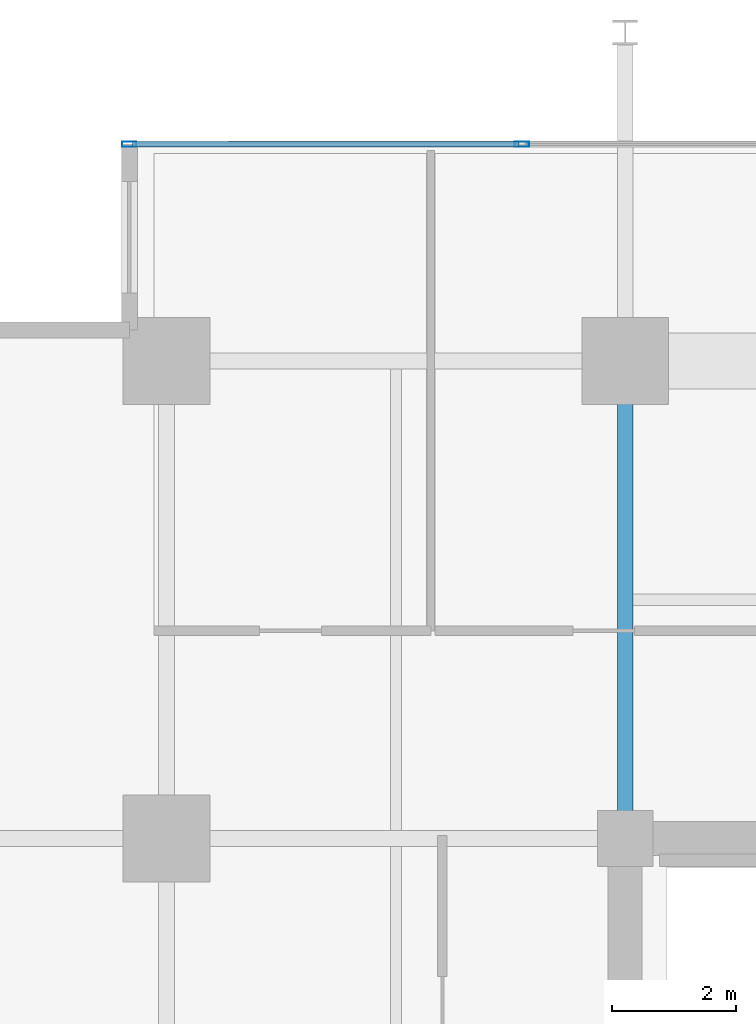
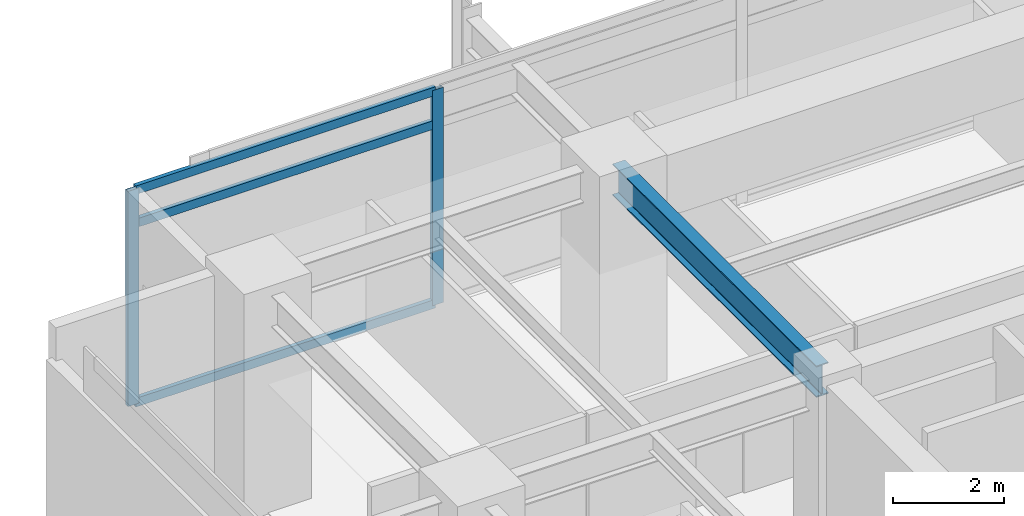
# One storey, part 7 of 19: 5 members, 1 beam, 1 element without a shape of its own.
"""IFC4 building model written with IfcOpenShell, lengths in metres."""

from ifc_helpers import new_model, si_unit, direction, frame, origin, origin_2d, place, context, subcontext, project, spatial, hollow_rectangle, i_section, extrude, material, material_profile, profile_set, type_object, element, aggregate, save


model = new_model("IFC4")

# Units and contexts
model_context = context("Model", 3, precision=1e-05, world=origin(), true_north=direction((0.0, 1.0)))
body_context = subcontext(model_context, "Body", "Model", "MODEL_VIEW")
ifc_project = project(units=[si_unit("LENGTHUNIT", "METRE"), si_unit("AREAUNIT", "SQUARE_METRE"), si_unit("VOLUMEUNIT", "CUBIC_METRE"), si_unit("PLANEANGLEUNIT", "RADIAN"), si_unit("MASSUNIT", "GRAM", prefix="KILO")], contexts=[model_context])

# Site, building, storey
site_placement = place(None, origin())
site = spatial("IfcSite", under=ifc_project, at=site_placement, CompositionType="ELEMENT")
building_placement = place(site_placement, origin())
building = spatial("IfcBuilding", under=site, at=building_placement, Name="Kovane Verandah Tower", CompositionType="ELEMENT")
storey_placement = place(building_placement, frame((0.0, 0.0, 200.199951171875)))
storey = spatial("IfcBuildingStorey", under=building, at=storey_placement, Name="L46", CompositionType="ELEMENT", Elevation=200.199951171875)

# Beam
ifc_material_1 = material(Name="Steel S355", Category="steel")
ifc_material_profile_1 = material_profile(ifc_material_1, i_section(OverallWidth=0.255859375, OverallDepth=0.69287109375, WebThickness=0.014404296875, FlangeThickness=0.023681640625, FilletRadius=0.01513671875, at=origin_2d()), Name="UB686x254x170")
ifc_profile_set_1 = profile_set([ifc_material_profile_1], Name="Steel S355")
beam_type = type_object("IfcBeamType", Name="BM-UB686x170", PredefinedType="BEAM", material=ifc_profile_set_1)
beam_placement = place(storey_placement, frame((29.0, 36.679931640625, 4.428466796875), z_axis=(0.0, 1.0, 0.0), x_axis=(-1.0, 0.0, 0.0)))
element("IfcBeam", 1, at=beam_placement, inside=storey, type_object=beam_type, Name="L46 Primary Tower Girder G-N1", PredefinedType="BEAM", context=body_context, shape_type="SweptSolid", body=[
    extrude(i_section(OverallWidth=0.255859375, OverallDepth=0.69287109375, WebThickness=0.014404296875, FlangeThickness=0.023681640625, FilletRadius=0.01513671875, at=origin_2d()), origin(), (0.0, 0.0, 1.0), 7.340087890625),
])

# Curtain wall, members
ifc_material_2 = material(Name="Champagne Anodised Aluminium Frame with Low-E Clear Laminated Glass", Category="aluminium")
curtain_wall_type = type_object("IfcCurtainWallType", Name="CW-SYS-04-WAIST", PredefinedType="NOTDEFINED", material=ifc_material_2)
curtain_wall_placement = place(storey_placement, origin())
curtain_wall = element("IfcCurtainWall", 2, at=curtain_wall_placement, inside=storey, type_object=curtain_wall_type, Name="L46 N Unitised Curtain Wall", PredefinedType="NOTDEFINED")
ifc_material_3 = material(Name="Champagne Anodised Aluminium 6063-T6", Category="aluminium")
ifc_material_profile_2 = material_profile(ifc_material_3, hollow_rectangle(XDim=0.0849609375, YDim=0.22998046875, WallThickness=0.00390625, at=origin_2d()), Name="AL85x230x4")
ifc_profile_set_2 = profile_set([ifc_material_profile_2], Name="Champagne Anodised Aluminium 6063-T6")
member_type_1 = type_object("IfcMemberType", Name="CW-MUL-85x230", PredefinedType="MULLION", material=ifc_profile_set_2)
member_1_placement = place(storey_placement, frame((27.333251953125, 47.699951171875, 0.02001953125), z_axis=(0.0, 0.0, 1.0), x_axis=(0.0, 1.0, 0.0)))
member_1 = element("IfcMember", 3, at=member_1_placement, type_object=member_type_1, Name="L46 N Unitised Curtain Wall Mullion 6", PredefinedType="MULLION", context=body_context, shape_type="SweptSolid", body=[
    extrude(hollow_rectangle(XDim=0.0849609375, YDim=0.22998046875, WallThickness=0.00390625, at=origin_2d()), origin(), (0.0, 0.0, 1.0), 4.735107421875),
])
member_2_placement = place(storey_placement, frame((21.0, 47.699951171875, 0.02001953125), z_axis=(0.0, 0.0, 1.0), x_axis=(0.0, 1.0, 0.0)))
member_2 = element("IfcMember", 4, at=member_2_placement, type_object=member_type_1, Name="L46 N Unitised Curtain Wall Mullion 7", PredefinedType="MULLION", context=body_context, shape_type="SweptSolid", body=[
    extrude(hollow_rectangle(XDim=0.0849609375, YDim=0.22998046875, WallThickness=0.00390625, at=origin_2d()), origin(), (0.0, 0.0, 1.0), 4.735107421875),
])
ifc_material_profile_3 = material_profile(ifc_material_3, hollow_rectangle(XDim=0.0849609375, YDim=0.18994140625, WallThickness=0.00390625, at=origin_2d()), Name="AL85x190x4")
ifc_profile_set_3 = profile_set([ifc_material_profile_3], Name="Champagne Anodised Aluminium 6063-T6")
member_type_2 = type_object("IfcMemberType", Name="CW-TRN-85x190", PredefinedType="USERDEFINED", material=ifc_profile_set_3)
member_3_placement = place(storey_placement, frame((27.283203125, 47.699951171875, 0.050048828125), z_axis=(-1.0, 0.0, 0.0), x_axis=(0.0, -1.0, 0.0)))
member_3 = element("IfcMember", 5, at=member_3_placement, type_object=member_type_2, Name="L46 N Unitised Curtain Wall Transom TB Bay 6", ObjectType="TRANSOM", PredefinedType="USERDEFINED", context=body_context, shape_type="SweptSolid", body=[
    extrude(hollow_rectangle(XDim=0.0849609375, YDim=0.18994140625, WallThickness=0.00390625, at=origin_2d()), origin(), (0.0, 0.0, 1.0), 6.233154296875),
])
member_4_placement = place(storey_placement, frame((27.283203125, 47.699951171875, 3.9951171875), z_axis=(-1.0, 0.0, 0.0), x_axis=(0.0, -1.0, 0.0)))
member_4 = element("IfcMember", 6, at=member_4_placement, type_object=member_type_2, Name="L46 N Unitised Curtain Wall Transom TM Bay 6", ObjectType="TRANSOM", PredefinedType="USERDEFINED", context=body_context, shape_type="SweptSolid", body=[
    extrude(hollow_rectangle(XDim=0.0849609375, YDim=0.18994140625, WallThickness=0.00390625, at=origin_2d()), origin(), (0.0, 0.0, 1.0), 6.233154296875),
])
member_5_placement = place(storey_placement, frame((27.283203125, 47.699951171875, 4.72509765625), z_axis=(-1.0, 0.0, 0.0), x_axis=(0.0, -1.0, 0.0)))
member_5 = element("IfcMember", 7, at=member_5_placement, type_object=member_type_2, Name="L46 N Unitised Curtain Wall Transom TT Bay 6", ObjectType="TRANSOM", PredefinedType="USERDEFINED", context=body_context, shape_type="SweptSolid", body=[
    extrude(hollow_rectangle(XDim=0.0849609375, YDim=0.18994140625, WallThickness=0.00390625, at=origin_2d()), origin(), (0.0, 0.0, 1.0), 6.233154296875),
])
aggregate(curtain_wall, [member_1, member_2, member_3, member_4, member_5])

save(model, "model.ifc")
